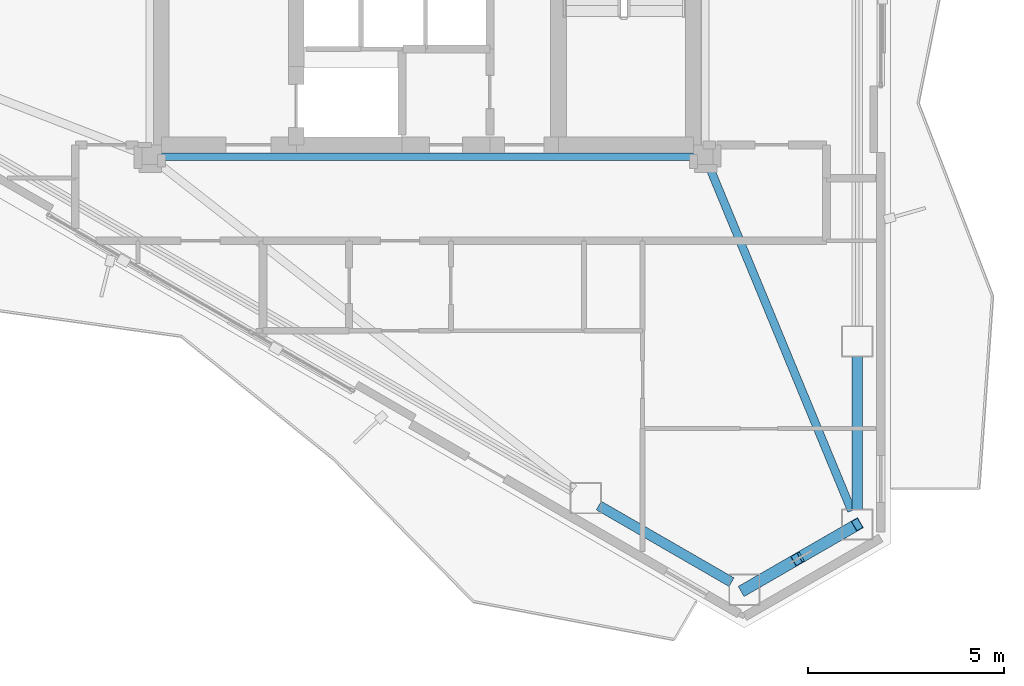
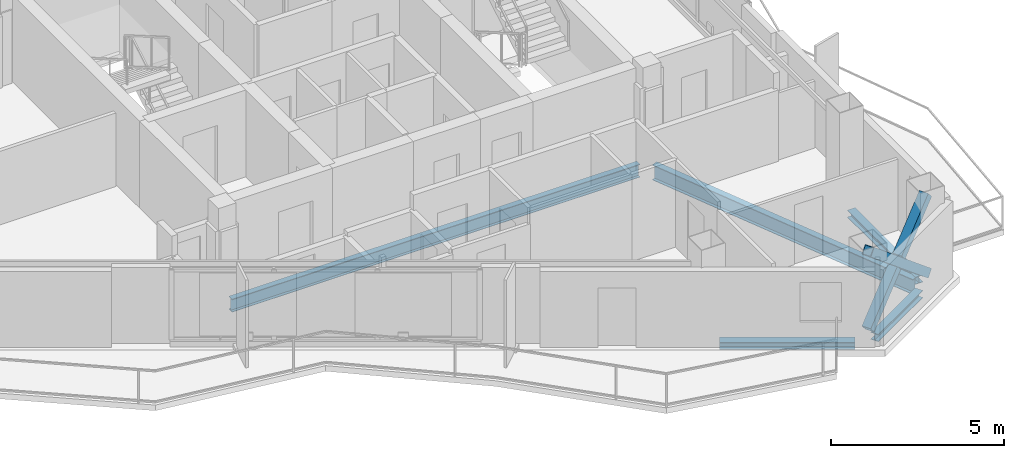
# One storey, part 5 of 22: 5 beams, 3 members.
"""IFC4 building model written with IfcOpenShell, lengths in metres."""

from ifc_helpers import new_model, si_unit, direction, frame, origin, origin_2d, place, context, subcontext, project, spatial, hollow_rectangle, i_section, extrude, material, material_profile, profile_set, type_object, element, save


model = new_model("IFC4")

# Units and contexts
model_context = context("Model", 3, precision=1e-05, world=origin(), true_north=direction((0.0, 1.0)))
body_context = subcontext(model_context, "Body", "Model", "MODEL_VIEW")
ifc_project = project(units=[si_unit("LENGTHUNIT", "METRE"), si_unit("AREAUNIT", "SQUARE_METRE"), si_unit("VOLUMEUNIT", "CUBIC_METRE"), si_unit("PLANEANGLEUNIT", "RADIAN"), si_unit("MASSUNIT", "GRAM", prefix="KILO")], contexts=[model_context])

# Site, building, storey
site_placement = place(None, origin())
site = spatial("IfcSite", under=ifc_project, at=site_placement, CompositionType="ELEMENT")
building_placement = place(site_placement, origin())
building = spatial("IfcBuilding", under=site, at=building_placement, Name="Mersakhor Tower and Convention Hall", CompositionType="ELEMENT")
storey_placement = place(building_placement, frame((0.0, 0.0, 208.5)))
storey = spatial("IfcBuildingStorey", under=building, at=storey_placement, Name="L58", CompositionType="ELEMENT", Elevation=208.5)

# Beams
ifc_material_1 = material(Name="Steel S355", Category="steel")
ifc_material_profile_1 = material_profile(ifc_material_1, i_section(OverallWidth=0.19140625, OverallDepth=0.4599609375, WebThickness=0.010009765625, FlangeThickness=0.01611328125, at=origin_2d()), Name="UB 457x191x82")
ifc_profile_set_1 = profile_set([ifc_material_profile_1], Name="Steel S355")
beam_type_1 = type_object("IfcBeamType", Name="BM-FB-457", PredefinedType="BEAM", material=ifc_profile_set_1)
beam_1_placement = place(storey_placement, frame((35.820068359375, 20.449951171875, -0.4599609375), z_axis=(-1.0, 0.0, 0.0), x_axis=(0.0, -1.0, 0.0)))
element("IfcBeam", 1, at=beam_1_placement, inside=storey, type_object=beam_type_1, Name="L58 Core Ring Tie Beam CRB-4", PredefinedType="BEAM", context=body_context, shape_type="SweptSolid", body=[
    extrude(i_section(OverallWidth=0.19140625, OverallDepth=0.4599609375, WebThickness=0.010009765625, FlangeThickness=0.01611328125, at=origin_2d()), origin(), (0.0, 0.0, 1.0), 13.64013671875),
])
ifc_material_2 = material(Name="Steel S355", Category="steel")
ifc_material_profile_2 = material_profile(ifc_material_2, i_section(OverallWidth=0.2099609375, OverallDepth=0.53662109375, WebThickness=0.0107421875, FlangeThickness=0.017333984375, at=origin_2d()), Name="UB 533x210x101")
ifc_profile_set_2 = profile_set([ifc_material_profile_2], Name="Steel S355")
beam_type_2 = type_object("IfcBeamType", Name="BM-FB-533", PredefinedType="BEAM", material=ifc_profile_set_2)
beam_2_placement = place(storey_placement, frame((36.20703125, 20.19140625, -0.498291015625), z_axis=(0.382178028302, -0.924088715808, 0.0), x_axis=(0.924088715808, 0.382178028302, 0.0)))
element("IfcBeam", 2, at=beam_2_placement, inside=storey, type_object=beam_type_2, Name="L58 Primary Floor Girder FG-4", PredefinedType="BEAM", context=body_context, shape_type="SweptSolid", body=[
    extrude(i_section(OverallWidth=0.2099609375, OverallDepth=0.53662109375, WebThickness=0.0107421875, FlangeThickness=0.017333984375, at=origin_2d()), origin(), (0.0, 0.0, 1.0), 9.514404296875),
])
ifc_material_3 = material(Name="Steel S355", Category="steel")
ifc_material_profile_3 = material_profile(ifc_material_3, i_section(OverallWidth=0.25634765625, OverallDepth=0.26025390625, WebThickness=0.01025390625, FlangeThickness=0.017333984375, at=origin_2d()), Name="UC 254x254x89")
ifc_profile_set_3 = profile_set([ifc_material_profile_3], Name="Steel S355")
beam_type_3 = type_object("IfcBeamType", Name="BM-SPD-UC254", PredefinedType="SPANDREL", material=ifc_profile_set_3)
beam_3_placement = place(storey_placement, frame((39.98828125, 15.34716796875, -0.360107421875), z_axis=(0.0, -1.0, 0.0), x_axis=(1.0, 0.0, 0.0)))
element("IfcBeam", 3, at=beam_3_placement, inside=storey, type_object=beam_type_3, Name="L58 Perimeter Spandrel Beam SPB-07", PredefinedType="SPANDREL", context=body_context, shape_type="SweptSolid", body=[
    extrude(i_section(OverallWidth=0.25634765625, OverallDepth=0.26025390625, WebThickness=0.01025390625, FlangeThickness=0.017333984375, at=origin_2d()), origin(), (0.0, 0.0, 1.0), 3.919189453125),
])
beam_4_placement = place(storey_placement, frame((39.6591796875, 10.85791015625, -0.360107421875), z_axis=(-0.866036909293, -0.499980071345, 0.0), x_axis=(0.499980071345, -0.866036909293, 0.0)))
element("IfcBeam", 4, at=beam_4_placement, inside=storey, type_object=beam_type_3, Name="L58 Perimeter Spandrel Beam SPB-08", PredefinedType="SPANDREL", context=body_context, shape_type="SweptSolid", body=[
    extrude(i_section(OverallWidth=0.25634765625, OverallDepth=0.26025390625, WebThickness=0.01025390625, FlangeThickness=0.017333984375, at=origin_2d()), origin(), (0.0, 0.0, 1.0), 2.5703125),
])
beam_5_placement = place(storey_placement, frame((36.77490234375, 9.57275390625, -0.360107421875), z_axis=(-0.866007153761, 0.500031608635, 0.0), x_axis=(-0.500031608635, -0.866007153761, 0.0)))
element("IfcBeam", 5, at=beam_5_placement, inside=storey, type_object=beam_type_3, Name="L58 Perimeter Spandrel Beam SPB-09", PredefinedType="SPANDREL", context=body_context, shape_type="SweptSolid", body=[
    extrude(i_section(OverallWidth=0.25634765625, OverallDepth=0.26025390625, WebThickness=0.01025390625, FlangeThickness=0.017333984375, at=origin_2d()), origin(), (0.0, 0.0, 1.0), 3.919189453125),
])

# Members
ifc_material_4 = material(Name="Steel S355", Category="steel")
ifc_material_profile_4 = material_profile(ifc_material_4, hollow_rectangle(XDim=0.300048828125, YDim=0.300048828125, WallThickness=0.01611328125, at=origin_2d()), Name="SHS 300x300x16")
ifc_profile_set_4 = profile_set([ifc_material_profile_4], Name="Steel S355")
member_type = type_object("IfcMemberType", Name="MB-BRC-SHS300", PredefinedType="BRACE", material=ifc_profile_set_4)
member_1_placement = place(storey_placement, frame((39.98828125, 11.048095703125, 0.14990234375), z_axis=(-0.665824923443, -0.384424564314, 0.639448923429), x_axis=(0.50001011158, -0.866019565782, 0.0)))
element("IfcMember", 6, at=member_1_placement, inside=storey, type_object=member_type, Name="L58 Chamfer Braced Frame Diagonal CB-2A", PredefinedType="BRACE", context=body_context, shape_type="SweptSolid", body=[
    extrude(hollow_rectangle(XDim=0.300048828125, YDim=0.300048828125, WallThickness=0.01611328125, at=origin_2d()), origin(), (0.0, 0.0, 1.0), 4.331787109375),
])
member_2_placement = place(storey_placement, frame((37.10400390625, 9.3828125, 0.14990234375), z_axis=(0.665779245823, 0.384445210881, 0.639484069905), x_axis=(-0.50005597947, 0.86599308161, 0.0)))
element("IfcMember", 7, at=member_2_placement, inside=storey, type_object=member_type, Name="L58 Chamfer Braced Frame Diagonal CB-2B Lower Half", PredefinedType="BRACE", context=body_context, shape_type="SweptSolid", body=[
    extrude(hollow_rectangle(XDim=0.300048828125, YDim=0.300048828125, WallThickness=0.01611328125, at=origin_2d()), origin(), (0.0, 0.0, 1.0), 2.00537109375),
])
member_3_placement = place(storey_placement, frame((38.6533203125, 10.277099609375, 1.6376953125), z_axis=(0.665763296387, 0.384506307606, 0.639463941592), x_axis=(-0.500124558158, 0.865953478154, 0.0)))
element("IfcMember", 8, at=member_3_placement, inside=storey, type_object=member_type, Name="L58 Chamfer Braced Frame Diagonal CB-2B Upper Half", PredefinedType="BRACE", context=body_context, shape_type="SweptSolid", body=[
    extrude(hollow_rectangle(XDim=0.300048828125, YDim=0.300048828125, WallThickness=0.01611328125, at=origin_2d()), origin(), (0.0, 0.0, 1.0), 2.005126953125),
])

save(model, "model.ifc")
